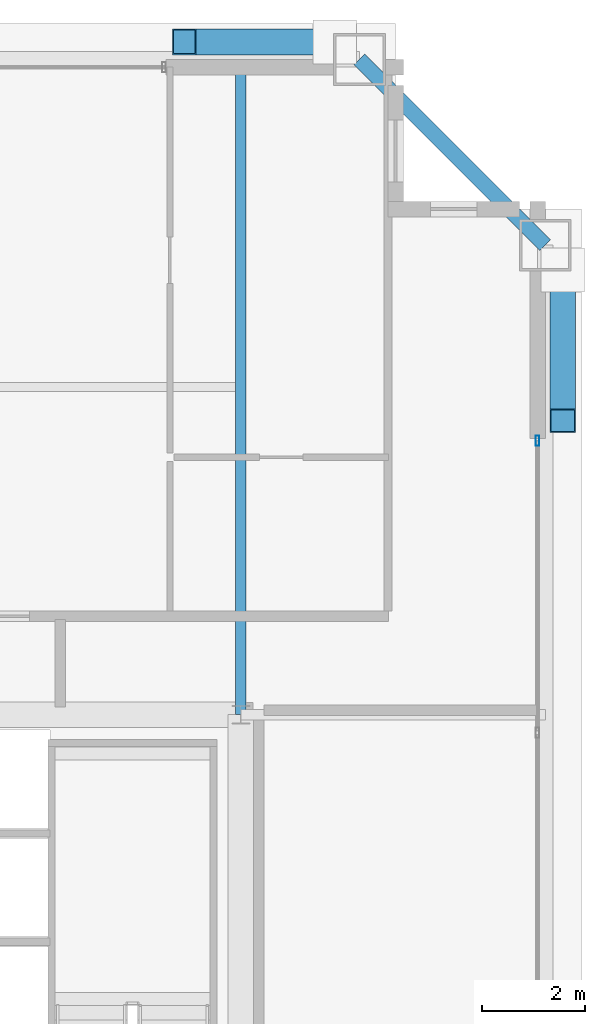
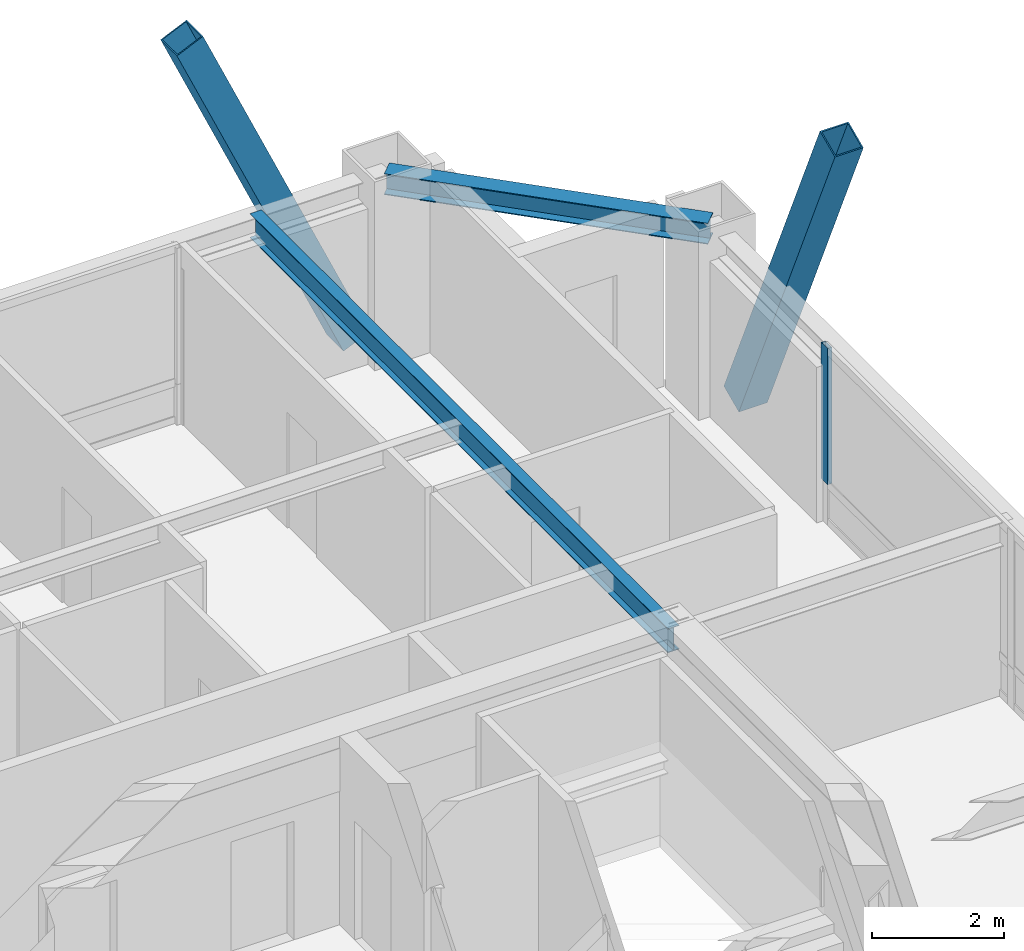
# One storey, part 19 of 35: 3 members, 2 beams, 1 element without a shape of its own.
"""IFC4 building model written with IfcOpenShell, lengths in metres."""

from ifc_helpers import new_model, si_unit, direction, frame, origin, origin_2d, place, context, subcontext, project, spatial, hollow_rectangle, i_section, extrude, source, transform, mapped, material, layer, layer_set, material_profile, profile_set, type_object, element, aggregate, save


model = new_model("IFC4")

# Units and contexts
model_context = context("Model", 3, precision=1e-05, world=origin(), true_north=direction((0.0, 1.0)))
body_context = subcontext(model_context, "Body", "Model", "MODEL_VIEW")
ifc_project = project(units=[si_unit("LENGTHUNIT", "METRE"), si_unit("AREAUNIT", "SQUARE_METRE"), si_unit("VOLUMEUNIT", "CUBIC_METRE"), si_unit("PLANEANGLEUNIT", "RADIAN"), si_unit("MASSUNIT", "GRAM", prefix="KILO"), si_unit("THERMODYNAMICTEMPERATUREUNIT", "KELVIN"), si_unit("POWERUNIT", "WATT")], contexts=[model_context])

# Site, building, storey
site_placement = place(None, origin())
site = spatial("IfcSite", under=ifc_project, at=site_placement, CompositionType="ELEMENT")
building_placement = place(site_placement, origin())
building = spatial("IfcBuilding", under=site, at=building_placement, Name="Yuzanri Waterfront Tower", CompositionType="ELEMENT")
storey_placement = place(building_placement, frame((0.0, 0.0, 299.60009765625)))
storey = spatial("IfcBuildingStorey", under=building, at=storey_placement, Name="L80", CompositionType="ELEMENT", Elevation=299.60009765625)

# Beams
ifc_material_1 = material(Name="Steel Q355B", Category="steel")
ifc_material_profile_1 = material_profile(ifc_material_1, i_section(OverallWidth=0.300048828125, OverallDepth=0.389892578125, WebThickness=0.010009765625, FlangeThickness=0.01611328125, at=origin_2d()), Name="HM 390x300x10x16")
ifc_profile_set_1 = profile_set([ifc_material_profile_1], Name="Steel Q355B")
beam_type_1 = type_object("IfcBeamType", Name="Perimeter Spandrel Q355B HM 390x300", PredefinedType="SPANDREL", material=ifc_profile_set_1)
shared_shape_1 = source(origin(), body_context, "Body", "SweptSolid", [
    extrude(i_section(OverallWidth=0.300048828125, OverallDepth=0.389892578125, WebThickness=0.010009765625, FlangeThickness=0.01611328125, at=origin_2d()), origin(), (0.0, 0.0, 1.0), 5.091064453125),
])
beam_1_placement = place(storey_placement, frame((56.10009765625, 41.300048828125, 3.0849609375), z_axis=(-0.707130757816, 0.707082803744, 0.0), x_axis=(-0.707082803744, -0.707130757816, 0.0)))
element("IfcBeam", 1, at=beam_1_placement, inside=storey, type_object=beam_type_1, Name="L80 Perimeter Spandrel E3-N3", PredefinedType="SPANDREL", context=body_context, shape_type="MappedRepresentation", body=[
    mapped(shared_shape_1, transform((0.0, 0.0, 0.0), scale=1.0)),
])
ifc_material_2 = material(Name="Steel Q355B", Category="steel")
ifc_material_profile_2 = material_profile(ifc_material_2, i_section(OverallWidth=0.199951171875, OverallDepth=0.449951171875, WebThickness=0.009033203125, FlangeThickness=0.013916015625, at=origin_2d()), Name="HN 450x200x9x14")
ifc_profile_set_2 = profile_set([ifc_material_profile_2], Name="Steel Q355B")
beam_type_2 = type_object("IfcBeamType", Name="Secondary Floor Beam Q355B HN 450x200", PredefinedType="BEAM", material=ifc_profile_set_2)
shared_shape_2 = source(origin(), body_context, "Body", "SweptSolid", [
    extrude(i_section(OverallWidth=0.199951171875, OverallDepth=0.449951171875, WebThickness=0.009033203125, FlangeThickness=0.013916015625, at=origin_2d()), origin(), (0.0, 0.0, 1.0), 12.699951171875),
])
beam_2_placement = place(storey_placement, frame((50.199951171875, 32.199951171875, 3.054931640625), z_axis=(0.0, 1.0, 0.0), x_axis=(-1.0, 0.0, 0.0)))
element("IfcBeam", 2, at=beam_2_placement, inside=storey, type_object=beam_type_2, Name="L80 North-East Core Line Beam", PredefinedType="BEAM", context=body_context, shape_type="MappedRepresentation", body=[
    mapped(shared_shape_2, transform((0.0, 0.0, 0.0), scale=1.0)),
])

# Members
ifc_material_3 = material(Name="Steel Q390GJC", Category="steel")
ifc_material_profile_3 = material_profile(ifc_material_3, hollow_rectangle(XDim=0.5, YDim=0.5, WallThickness=0.02197265625, at=origin_2d()), Name="RHS 500x500x22")
ifc_profile_set_3 = profile_set([ifc_material_profile_3], Name="Steel Q390GJC")
member_type_1 = type_object("IfcMemberType", Name="Mega Brace Upper Q390GJC RHS 500x500x22", PredefinedType="BRACE", material=ifc_profile_set_3)
shared_shape_3 = source(origin(), body_context, "Body", "SweptSolid", [
    extrude(hollow_rectangle(XDim=0.5, YDim=0.5, WallThickness=0.02197265625, at=origin_2d()), origin(), (0.0, 0.0, 1.0), 7.125732421875),
])
for number, where, z_axis, x_axis, name in (
    (3, (52.02001953125, 45.239990234375, 0.179931640625), (-0.409771952938, 0.0, 0.912187999584), (0.0, -1.0, 0.0), "L80-L81 Perimeter Mega-Brace N-R"),
    (4, (56.43994140625, 40.820068359375, 0.179931640625), (0.0, -0.409800461192, 0.912175192607), (1.0, 0.0, 0.0), "L80-L81 Perimeter Mega-Brace E-R"),
):
    element("IfcMember", number, at=place(storey_placement, frame(where, z_axis=z_axis, x_axis=x_axis)), inside=storey, type_object=member_type_1, Name=name, PredefinedType="BRACE", context=body_context, shape_type="MappedRepresentation", body=[
        mapped(shared_shape_3, transform((0.0, 0.0, 0.0), scale=1.0)),
    ])

# Curtain wall, member
ifc_material_4 = material(Name="Anodized Architectural Bronze", Category="metal")
ifc_layer = layer(ifc_material_4, 0.159912109375)
ifc_layer_set = layer_set([ifc_layer], Name="Anodized Architectural Bronze")
curtain_wall_type = type_object("IfcCurtainWallType", Name="Anodized Bronze High-Rise Penthouse High-Wind Unitized Curtain Wall 6900", PredefinedType="NOTDEFINED", material=ifc_layer_set)
curtain_wall_placement = place(storey_placement, origin())
curtain_wall = element("IfcCurtainWall", 5, at=curtain_wall_placement, inside=storey, type_object=curtain_wall_type, Name="L80 Curtain Wall CW-L80-ER", PredefinedType="NOTDEFINED")
ifc_material_5 = material(Name="Anodized Architectural Bronze", Category="metal")
ifc_material_profile_4 = material_profile(ifc_material_5, hollow_rectangle(XDim=0.074951171875, YDim=0.199951171875, WallThickness=0.00390625, at=origin_2d()), Name="CWM 75x200")
ifc_profile_set_4 = profile_set([ifc_material_profile_4], Name="Anodized Architectural Bronze")
member_type_2 = type_object("IfcMemberType", Name="Anodized Bronze Primary Curtain-Wall Mullion 75x200", PredefinedType="MULLION", material=ifc_profile_set_4)
shared_shape_4 = source(origin(), body_context, "Body", "SweptSolid", [
    extrude(hollow_rectangle(XDim=0.074951171875, YDim=0.199951171875, WallThickness=0.00390625, at=origin_2d()), origin(), (0.0, 0.0, 1.0), 2.52392578125),
])
member_placement = place(storey_placement, frame((55.949951171875, 37.510009765625, 0.755859375), z_axis=(0.0, 0.0, 1.0), x_axis=(1.0, 0.0, 0.0)))
member = element("IfcMember", 6, at=member_placement, type_object=member_type_2, Name="CW-L80-ER Upper Mullion 02", PredefinedType="MULLION", context=body_context, shape_type="MappedRepresentation", body=[
    mapped(shared_shape_4, transform((0.0, 0.0, 0.0), scale=1.0)),
])
aggregate(curtain_wall, [member])

save(model, "model.ifc")
